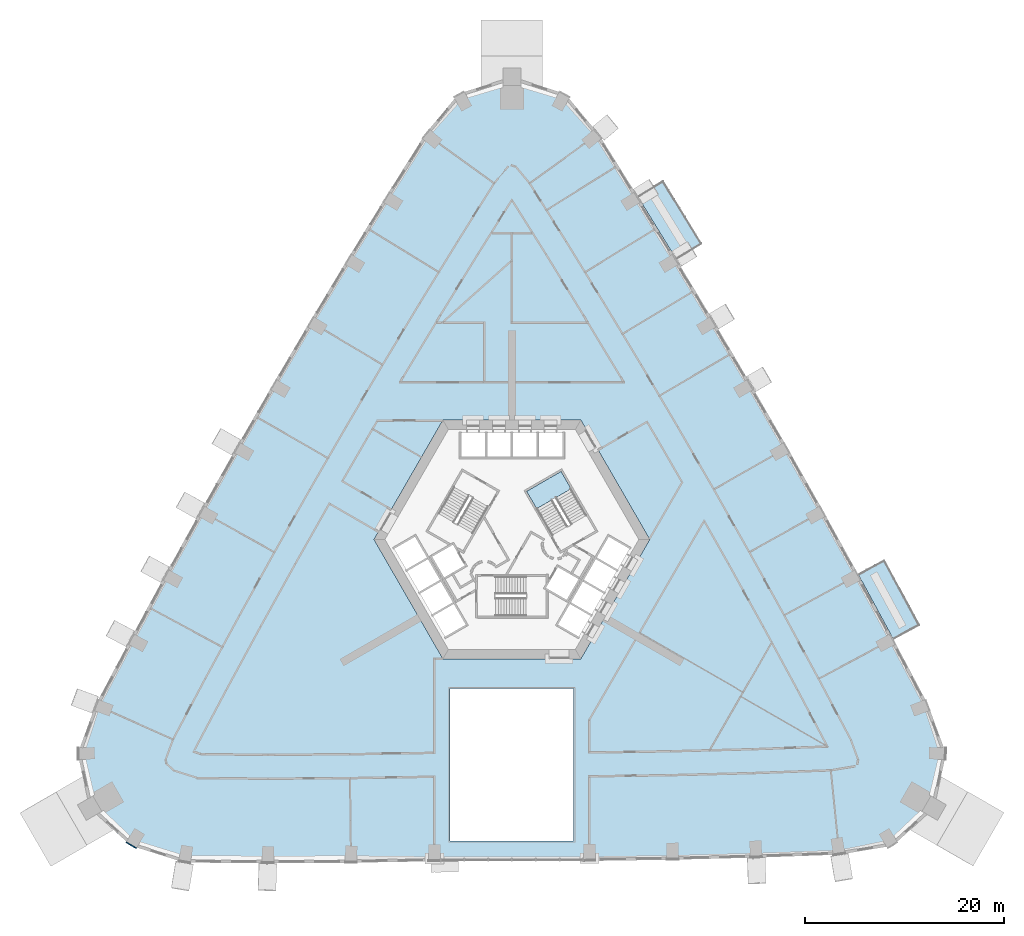
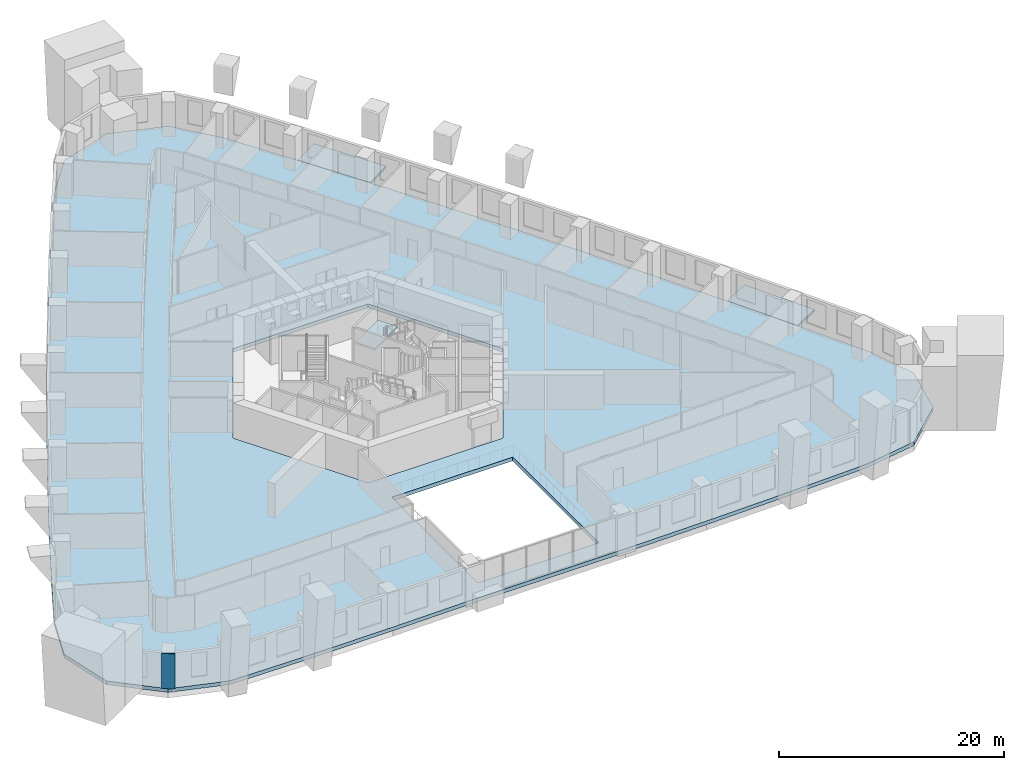
# One storey, part 3 of 17: 4 slabs, 1 wall, 1 element without a shape of its own.
"""IFC4 building model written with IfcOpenShell, lengths in metres."""

import ifcopenshell
import ifcopenshell.guid

model = None  # the IFC model being written
_history = None  # IfcOwnerHistory: only IFC2X3 demands one
_inside = {}  # id of a spatial element -> (the spatial element, [elements in it])
_under = {}  # id of a project, library or spatial element -> (it, [spatial elements below it])
_declared = {}  # id of a project -> (the project, [libraries it declares])
_typed = {}  # id of a type object -> (the type object, [elements of that type])
_made_of = {}  # id of a material, layer set ... -> (it, [elements and type objects made of it])


def new_model(schema):
    """Start an empty IFC model of exactly this schema.

    Asked for "IFC4X3", IfcOpenShell would pick the latest addendum, in which some entities
    have other attributes; the version numbers below select the first issue.
    IFC2X3 requires an IfcOwnerHistory on every rooted entity: one is made here for all.
    """
    global model, _history
    if schema == "IFC4X3":
        model = ifcopenshell.file(schema_version=(4, 3, 0, 0))
    else:
        model = ifcopenshell.file(schema=schema)
    _inside.clear()
    _under.clear()
    _declared.clear()
    _typed.clear()
    _made_of.clear()
    _history = None
    if model.schema == "IFC2X3":
        org = make("IfcOrganization", Name="unknown")
        user = make(
            "IfcPersonAndOrganization",
            ThePerson=make("IfcPerson", FamilyName="unknown"),
            TheOrganization=org,
        )
        app = make(
            "IfcApplication",
            ApplicationDeveloper=org,
            Version="unknown",
            ApplicationFullName="unknown",
            ApplicationIdentifier="unknown",
        )
        _history = make(
            "IfcOwnerHistory",
            OwningUser=user,
            OwningApplication=app,
            ChangeAction="ADDED",
            CreationDate=0,
        )
    return model


def make(cls, **values):
    """One entity of the class cls with the attributes given. An attribute that is None is left unset."""
    return model.create_entity(
        cls, **{name: value for name, value in values.items() if value is not None}
    )


def rooted(cls, **values):
    """An entity with a GlobalId (a new one), such as an element, a storey or a relation."""
    return make(cls, GlobalId=ifcopenshell.guid.new(), OwnerHistory=_history, **values)


def si_unit(unit_type, name, prefix=None):
    """IfcSIUnit, for example si_unit("LENGTHUNIT", "METRE", prefix="MILLI")."""
    return make("IfcSIUnit", UnitType=unit_type, Prefix=prefix, Name=name)


def assignment(units):
    """IfcUnitAssignment: the units of a project."""
    return None if units is None else make("IfcUnitAssignment", Units=units)


def point(xyz):
    """IfcCartesianPoint."""
    return None if xyz is None else make("IfcCartesianPoint", Coordinates=xyz)


def direction(xyz):
    """IfcDirection."""
    return None if xyz is None else make("IfcDirection", DirectionRatios=xyz)


def frame(location, z_axis=None, x_axis=None):
    """IfcAxis2Placement3D, a coordinate frame: its origin and axes. An axis left out is left unset."""
    return make(
        "IfcAxis2Placement3D",
        Location=point(location),
        Axis=direction(z_axis),
        RefDirection=direction(x_axis),
    )


def frame_2d(location, x_axis=None):
    """IfcAxis2Placement2D, a coordinate frame in the plane: its origin and x axis."""
    return make(
        "IfcAxis2Placement2D", Location=point(location), RefDirection=direction(x_axis)
    )


def origin():
    """The frame at (0, 0, 0) with its axes left unset."""
    return frame((0.0, 0.0, 0.0))


def place(relative_to, where):
    """IfcLocalPlacement: puts the frame where relative to a parent placement (None: the world)."""
    return make(
        "IfcLocalPlacement", PlacementRelTo=relative_to, RelativePlacement=where
    )


def context(
    kind, dimensions, precision=None, world=None, true_north=None, identifier=None
):
    """IfcGeometricRepresentationContext, for example the 3D "Model" context."""
    return make(
        "IfcGeometricRepresentationContext",
        ContextIdentifier=identifier,
        ContextType=kind,
        CoordinateSpaceDimension=dimensions,
        Precision=precision,
        WorldCoordinateSystem=world,
        TrueNorth=true_north,
    )


def subcontext(parent, identifier, kind, view, scale=None):
    """IfcGeometricRepresentationSubContext, for example "Body" below "Model"."""
    return make(
        "IfcGeometricRepresentationSubContext",
        ContextIdentifier=identifier,
        ContextType=kind,
        ParentContext=parent,
        TargetScale=scale,
        TargetView=view,
    )


def project(units=None, contexts=None):
    """IfcProject with its units and contexts."""
    return rooted(
        "IfcProject",
        Name="project",
        RepresentationContexts=contexts,
        UnitsInContext=assignment(units),
    )


def spatial(cls, under=None, at=None, **own):
    """A site, building, storey or space (cls), placed at a placement, below another one or the project."""
    s = rooted(cls, ObjectPlacement=at, **own)
    if under is not None:
        _under.setdefault(under.id(), (under, []))[1].append(s)
    return s


def polyline(points):
    """IfcPolyline through the points."""
    return make("IfcPolyline", Points=[point(p) for p in points])


def profile(cls, at=None, kind="AREA", **sizes):
    """A parametric profile (cls). Its sizes go by their IFC names, for example OverallWidth=200.0."""
    return make(cls, ProfileType=kind, Position=at, **sizes)


def rectangle(**sizes):
    """IfcRectangleProfileDef."""
    return profile("IfcRectangleProfileDef", **sizes)


def outline(outer, holes=None, kind="AREA"):
    """IfcArbitraryClosedProfileDef: a profile drawn as a closed curve; with holes, ...WithVoids."""
    if holes is None:
        return make("IfcArbitraryClosedProfileDef", ProfileType=kind, OuterCurve=outer)
    return make(
        "IfcArbitraryProfileDefWithVoids",
        ProfileType=kind,
        OuterCurve=outer,
        InnerCurves=holes,
    )


def extrude(swept, where, along, depth):
    """IfcExtrudedAreaSolid: the profile swept, set in the frame where, extruded along a direction by depth."""
    return make(
        "IfcExtrudedAreaSolid",
        SweptArea=swept,
        Position=where,
        ExtrudedDirection=direction(along),
        Depth=depth,
    )


def shape(context_of_items, identifier, shape_type, items):
    """IfcShapeRepresentation: the items that make up one representation, for example the "Body"."""
    return make(
        "IfcShapeRepresentation",
        ContextOfItems=context_of_items,
        RepresentationIdentifier=identifier,
        RepresentationType=shape_type,
        Items=items,
    )


def material(Name=None, Category=None):
    """IfcMaterial."""
    return make("IfcMaterial", Name=Name, Category=Category)


def layer(
    of_material, thickness, ventilated=None, Name=None, Category=None, Priority=None
):
    """IfcMaterialLayer: one layer of a wall or slab, of a material (None: an air gap)."""
    return make(
        "IfcMaterialLayer",
        Material=of_material,
        LayerThickness=thickness,
        IsVentilated=ventilated,
        Name=Name,
        Category=Category,
        Priority=Priority,
    )


def layer_set(layers, Name=None):
    """IfcMaterialLayerSet."""
    return make("IfcMaterialLayerSet", MaterialLayers=layers, LayerSetName=Name)


def made_of(thing, what):
    """Note that an element or type object is made of a material, layer set ...; save() writes the relation."""
    if what is not None:
        _made_of.setdefault(what.id(), (what, []))[1].append(thing)
    return thing


def type_object(cls, material=None, **own):
    """A type object (cls), such as IfcWallType, which elements share."""
    return made_of(rooted(cls, **own), material)


def element(
    cls,
    number,
    at=None,
    inside=None,
    cuts=None,
    type_object=None,
    material=None,
    context=None,
    identifier="Body",
    shape_type=None,
    held_by="IfcProductDefinitionShape",
    body=None,
    shapes=None,
    **own,
):
    """One element of the class cls, such as IfcWall. Its Tag is "e" and its number.

    at: its placement. inside: the storey or other place that contains it. cuts: it is an
    opening in that element (IfcRelVoidsElement). A single representation is given by context,
    identifier, shape_type and body (its items); several are given by shapes. held_by: the class
    of the entity that holds the representations. save() writes the other relations.
    """
    e = rooted(cls, Tag="e%d" % number, ObjectPlacement=at, **own)
    if body is not None:
        shapes = [shape(context, identifier, shape_type, body)]
    if shapes is not None:
        e.Representation = make(held_by, Representations=shapes)
    if inside is not None:
        _inside.setdefault(inside.id(), (inside, []))[1].append(e)
    if cuts is not None:
        rooted(
            "IfcRelVoidsElement", RelatingBuildingElement=cuts, RelatedOpeningElement=e
        )
    if type_object is not None:
        _typed.setdefault(type_object.id(), (type_object, []))[1].append(e)
    return made_of(e, material)


def aggregate(whole, parts):
    """IfcRelAggregates: a whole, such as a stair, and the parts it consists of."""
    return rooted("IfcRelAggregates", RelatingObject=whole, RelatedObjects=parts)


def save(model, path):
    """Write the relations noted so far, then the file.

    IfcRelAggregates (storeys below a building ...), IfcRelContainedInSpatialStructure (elements
    in a storey), IfcRelDefinesByType, IfcRelAssociatesMaterial and IfcRelDeclares: one each for
    every whole, place, type object, material and project.
    """
    for whole, parts in _under.values():
        aggregate(whole, parts)
    for where, things in _inside.values():
        rooted(
            "IfcRelContainedInSpatialStructure",
            RelatedElements=things,
            RelatingStructure=where,
        )
    for kind, things in _typed.values():
        rooted("IfcRelDefinesByType", RelatedObjects=things, RelatingType=kind)
    for what, things in _made_of.values():
        rooted("IfcRelAssociatesMaterial", RelatedObjects=things, RelatingMaterial=what)
    for by, libraries in _declared.values():
        rooted("IfcRelDeclares", RelatingContext=by, RelatedDefinitions=libraries)
    model.write(path)


model = new_model("IFC4")

# Units and contexts
model_context = context("Model", 3, precision=1e-05, world=origin(), true_north=direction((0.0, 1.0)))
body_context = subcontext(model_context, "Body", "Model", "MODEL_VIEW")
ifc_project = project(units=[si_unit("LENGTHUNIT", "METRE"), si_unit("AREAUNIT", "SQUARE_METRE"), si_unit("VOLUMEUNIT", "CUBIC_METRE"), si_unit("PLANEANGLEUNIT", "RADIAN"), si_unit("MASSUNIT", "GRAM", prefix="KILO")], contexts=[model_context])

# Site, building, storey
site_placement = place(None, origin())
site = spatial("IfcSite", under=ifc_project, at=site_placement, CompositionType="ELEMENT")
building_placement = place(site_placement, origin())
building = spatial("IfcBuilding", under=site, at=building_placement, Name="Entoto Arch Interchange Tower", CompositionType="ELEMENT")
storey_placement = place(building_placement, frame((0.0, 0.0, 72.800048828125)))
storey = spatial("IfcBuildingStorey", under=building, at=storey_placement, Name="L15", CompositionType="ELEMENT", Elevation=72.800048828125)

# Slabs
ifc_material_1 = material(Name="Board-marked precast concrete C50/60", Category="concrete")
ifc_layer_1 = layer(ifc_material_1, 0.25)
ifc_layer_set_1 = layer_set([ifc_layer_1], Name="Board-marked precast concrete C50/60")
slab_type_1 = type_object("IfcSlabType", Name="BALCONY DECK PRECAST 250", PredefinedType="FLOOR", material=ifc_layer_set_1)
slab_1_placement = place(storey_placement, frame((0.0, 0.0, -0.25)))
element("IfcSlab", 1, at=slab_1_placement, inside=storey, type_object=slab_type_1, Name="Planted balcony NE-02 L15", PredefinedType="FLOOR", context=body_context, shape_type="SweptSolid", body=[
    extrude(outline(polyline([(38.321044921875, -7.491943359375), (34.8310546875, -1.047119140625), (37.425048828125, 0.35791015625), (40.9150390625, -6.0869140625), (38.321044921875, -7.491943359375)])), origin(), (0.0, 0.0, 1.0), 0.25),
])
slab_2_placement = place(storey_placement, frame((0.0, 0.0, -0.25)))
element("IfcSlab", 2, at=slab_2_placement, inside=storey, type_object=slab_type_1, Name="Planted balcony NE-08 L15", PredefinedType="FLOOR", context=body_context, shape_type="SweptSolid", body=[
    extrude(outline(polyline([(16.509033203125, 30.68798828125), (12.672119140625, 36.93408203125), (15.18603515625, 38.47802734375), (19.02294921875, 32.23193359375), (16.509033203125, 30.68798828125)])), origin(), (0.0, 0.0, 1.0), 0.25),
])

# Stair, slab
ifc_material_2 = material(Name="Concrete C40/50", Category="concrete")
stair_type = type_object("IfcStairType", Name="EXIT STAIR RC 1800", PredefinedType="HALF_TURN_STAIR", material=ifc_material_2)
stair_placement = place(storey_placement, origin())
stair = element("IfcStair", 3, at=stair_placement, inside=storey, type_object=stair_type, Name="L15 Exit stair NE", PredefinedType="HALF_TURN_STAIR")
ifc_layer_2 = layer(ifc_material_2, 0.199951171875)
ifc_layer_set_2 = layer_set([ifc_layer_2], Name="Concrete C40/50")
slab_type_2 = type_object("IfcSlabType", Name="EXIT STAIR LANDING RC 200", PredefinedType="LANDING", material=ifc_layer_set_2)
slab_3_placement = place(storey_placement, frame((0.0, 0.0, 1.89990234375)))
slab_3 = element("IfcSlab", 4, at=slab_3_placement, type_object=slab_type_2, Name="ST-NE landing 1", PredefinedType="LANDING", context=body_context, shape_type="SweptSolid", body=[
    extrude(outline(polyline([(5.953369140625, 7.58837890625), (4.943359375, 9.337890625), (1.479248046875, 7.337890625), (2.4892578125, 5.58837890625), (5.953369140625, 7.58837890625)])), origin(), (0.0, 0.0, 1.0), 0.199951171875),
])
aggregate(stair, [slab_3])

# Slab
ifc_layer_3 = layer(ifc_material_2, 0.39990234375)
ifc_layer_set_3 = layer_set([ifc_layer_3], Name="Concrete C40/50")
slab_type_3 = type_object("IfcSlabType", Name="Post-tensioned flat plate 400 C40/50", PredefinedType="FLOOR", material=ifc_layer_set_3)
slab_4_placement = place(storey_placement, frame((0.0, 0.0, -0.400146484375)))
element("IfcSlab", 5, at=slab_4_placement, inside=storey, type_object=slab_type_3, Name="Floor slab L15", PredefinedType="FLOOR", context=body_context, shape_type="SweptSolid", body=[
    extrude(outline(polyline([(-32.910888671875, -29.968994140625), (-24.5400390625, -30.0419921875), (-16.169921875, -29.987060546875), (-7.800048828125, -29.845947265625), (7.800048828125, -29.81201171875), (16.169921875, -29.68701171875), (24.5400390625, -29.47607421875), (32.910888671875, -29.177001953125), (38.284912109375, -28.277099609375), (42.44189453125, -24.50390625), (43.631103515625, -19.01806640625), (41.833984375, -14.125), (38.321044921875, -7.491943359375), (34.8310546875, -1.047119140625), (31.282958984375, 5.365966796875), (27.676025390625, 11.7470703125), (24.010986328125, 18.093994140625), (20.2890625, 24.408935546875), (16.509033203125, 30.68798828125), (12.672119140625, 36.93408203125), (8.68408203125, 43.2919921875), (5.345947265625, 47.2939453125), (0.0, 49.008056640625), (-5.345947265625, 47.2939453125), (-8.68408203125, 43.2919921875), (-12.672119140625, 36.93408203125), (-16.509033203125, 30.68798828125), (-20.2890625, 24.408935546875), (-24.010986328125, 18.093994140625), (-27.676025390625, 11.7470703125), (-31.282958984375, 5.365966796875), (-34.8310546875, -1.047119140625), (-38.321044921875, -7.491943359375), (-41.833984375, -14.125), (-43.631103515625, -19.01806640625), (-42.44189453125, -24.50390625), (-38.284912109375, -28.277099609375), (-32.910888671875, -29.968994140625)]), holes=[polyline([(6.199951171875, -27.81201171875), (6.199951171875, -12.5), (-6.199951171875, -12.5), (-6.199951171875, -27.81201171875), (6.199951171875, -27.81201171875)]), polyline([(13.85595703125, 2.5), (6.927978515625, 14.5), (-6.927978515625, 14.5), (-13.85595703125, 2.5), (-6.927978515625, -9.5), (6.927978515625, -9.5), (13.85595703125, 2.5)])]), origin(), (0.0, 0.0, 1.0), 0.400146484375),
])

# Wall
ifc_material_3 = material(Name="Welded tuff (ignimbrite) cladding, warm buff", Category="masonry")
ifc_layer_4 = layer(ifc_material_3, 0.10009765625)
ifc_layer_set_4 = layer_set([ifc_layer_4], Name="Welded tuff (ignimbrite) cladding, warm buff")
wall_type = type_object("IfcWallType", Name="STONE PIER CLADDING 100", PredefinedType="STANDARD", material=ifc_layer_set_4)
wall_placement = place(storey_placement, frame((-38.77197265625, -27.923095703125, 0.0), z_axis=(0.0, 0.0, 1.0), x_axis=(0.854806852666, -0.518946282996, 0.0)))
element("IfcWall", 6, at=wall_placement, inside=storey, type_object=wall_type, Name="Stone pier SW3 L15", PredefinedType="STANDARD", context=body_context, shape_type="SweptSolid", body=[
    extrude(rectangle(XDim=1.2001953125, YDim=0.10009765625, at=frame_2d((0.60009765625, 0.0))), origin(), (0.0, 0.0, 1.0), 3.800048828125),
])

save(model, "model.ifc")
